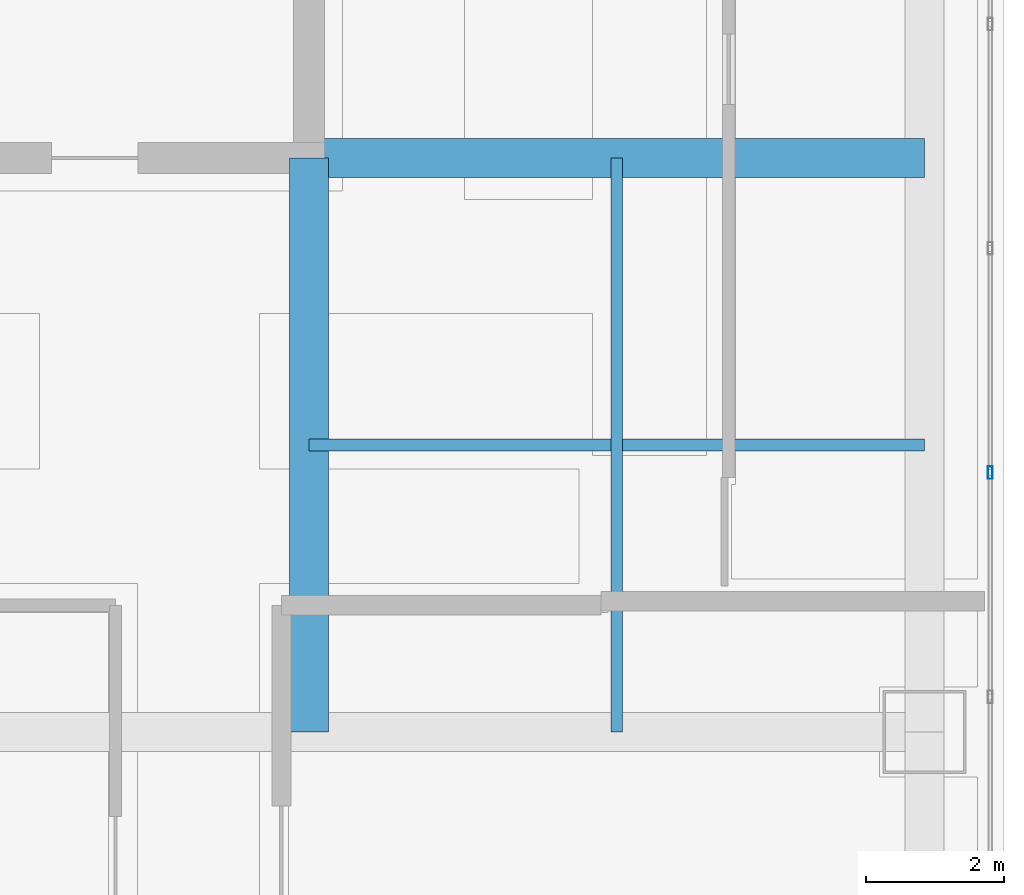
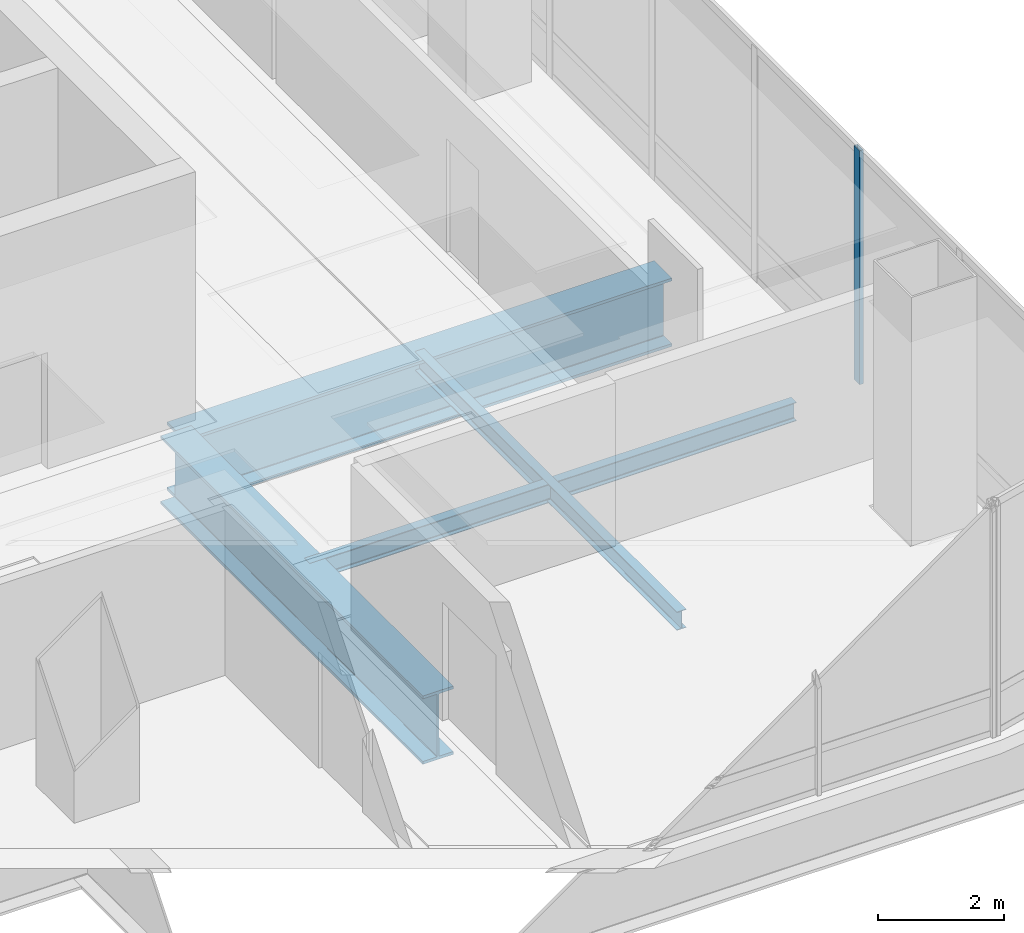
# One storey, part 19 of 45: 4 beams, 1 member, 1 element without a shape of its own.
"""IFC4 building model written with IfcOpenShell, lengths in metres."""

from ifc_helpers import new_model, si_unit, direction, frame, origin, origin_2d, place, context, subcontext, project, spatial, hollow_rectangle, i_section, extrude, material, material_profile, profile_set, type_object, element, aggregate, save


model = new_model("IFC4")

# Units and contexts
model_context = context("Model", 3, precision=1e-05, world=origin(), true_north=direction((0.0, 1.0)))
body_context = subcontext(model_context, "Body", "Model", "MODEL_VIEW")
ifc_project = project(units=[si_unit("LENGTHUNIT", "METRE"), si_unit("AREAUNIT", "SQUARE_METRE"), si_unit("VOLUMEUNIT", "CUBIC_METRE"), si_unit("PLANEANGLEUNIT", "RADIAN"), si_unit("MASSUNIT", "GRAM", prefix="KILO")], contexts=[model_context])

# Site, building, storey
site_placement = place(None, origin())
site = spatial("IfcSite", under=ifc_project, at=site_placement, CompositionType="ELEMENT")
building_placement = place(site_placement, origin())
building = spatial("IfcBuilding", under=site, at=building_placement, Name="Punatoya Terracotta Tower", CompositionType="ELEMENT")
storey_placement = place(building_placement, frame((0.0, 0.0, 339.0)))
storey = spatial("IfcBuildingStorey", under=building, at=storey_placement, Name="L80", CompositionType="ELEMENT", Elevation=339.0)

# Beams
ifc_material_1 = material(Name="Steel S355", Category="steel")
ifc_material_profile_1 = material_profile(ifc_material_1, i_section(OverallWidth=0.169921875, OverallDepth=0.360107421875, WebThickness=0.008056640625, FlangeThickness=0.0126953125, FilletRadius=0.01806640625, at=origin_2d()))
ifc_profile_set_1 = profile_set([ifc_material_profile_1], Name="Steel S355")
beam_type_1 = type_object("IfcBeamType", Name="BM-SEC-360", PredefinedType="JOIST", material=ifc_profile_set_1)
beam_1_placement = place(storey_placement, frame((10.199951171875, -13.35009765625, -0.43994140625), z_axis=(1.0, 0.0, 0.0), x_axis=(0.0, 1.0, 0.0)))
element("IfcBeam", 1, at=beam_1_placement, inside=storey, type_object=beam_type_1, Name="BM-L80-SJS-2", PredefinedType="JOIST", context=body_context, shape_type="SweptSolid", body=[
    extrude(i_section(OverallWidth=0.169921875, OverallDepth=0.360107421875, WebThickness=0.008056640625, FlangeThickness=0.0126953125, FilletRadius=0.01806640625, at=origin_2d()), origin(), (0.0, 0.0, 1.0), 8.900146484375),
])
beam_2_placement = place(storey_placement, frame((14.64990234375, -17.5, -0.43994140625), z_axis=(0.0, 1.0, 0.0), x_axis=(-1.0, 0.0, 0.0)))
element("IfcBeam", 2, at=beam_2_placement, inside=storey, type_object=beam_type_1, Name="BM-L80-SJE-1", PredefinedType="JOIST", context=body_context, shape_type="SweptSolid", body=[
    extrude(i_section(OverallWidth=0.169921875, OverallDepth=0.360107421875, WebThickness=0.008056640625, FlangeThickness=0.0126953125, FilletRadius=0.01806640625, at=origin_2d()), origin(), (0.0, 0.0, 1.0), 8.300048828125),
])
ifc_material_2 = material(Name="Steel S460", Category="steel")
ifc_material_profile_2 = material_profile(ifc_material_2, i_section(OverallWidth=0.56005859375, OverallDepth=1.320068359375, WebThickness=0.035888671875, FlangeThickness=0.054931640625, FilletRadius=0.01806640625, at=origin_2d()))
ifc_profile_set_2 = profile_set([ifc_material_profile_2], Name="Steel S460")
beam_type_2 = type_object("IfcBeamType", Name="BM-TG-BLK", PredefinedType="BEAM", material=ifc_profile_set_2)
beam_3_placement = place(storey_placement, frame((10.199951171875, -9.199951171875, -0.919921875), z_axis=(1.0, 0.0, 0.0), x_axis=(0.0, 1.0, 0.0)))
element("IfcBeam", 3, at=beam_3_placement, inside=storey, type_object=beam_type_2, Name="BM-L80-PR-ES", PredefinedType="BEAM", context=body_context, shape_type="SweptSolid", body=[
    extrude(i_section(OverallWidth=0.56005859375, OverallDepth=1.320068359375, WebThickness=0.035888671875, FlangeThickness=0.054931640625, FilletRadius=0.01806640625, at=origin_2d()), origin(), (0.0, 0.0, 1.0), 8.900146484375),
])
beam_4_placement = place(storey_placement, frame((10.199951171875, -17.5, -0.919921875), z_axis=(0.0, 1.0, 0.0), x_axis=(-1.0, 0.0, 0.0)))
element("IfcBeam", 4, at=beam_4_placement, inside=storey, type_object=beam_type_2, Name="BM-L80-PR-S4", PredefinedType="BEAM", context=body_context, shape_type="SweptSolid", body=[
    extrude(i_section(OverallWidth=0.56005859375, OverallDepth=1.320068359375, WebThickness=0.035888671875, FlangeThickness=0.054931640625, FilletRadius=0.01806640625, at=origin_2d()), origin(), (0.0, 0.0, 1.0), 8.300048828125),
])

# Curtain wall, member
ifc_material_3 = material(Name="Aluminium 6063-T6 + Double Low-E Glass", Category="aluminium")
curtain_wall_type = type_object("IfcCurtainWallType", Name="CW-OBS", PredefinedType="NOTDEFINED", material=ifc_material_3)
curtain_wall_placement = place(storey_placement, origin())
curtain_wall = element("IfcCurtainWall", 5, at=curtain_wall_placement, inside=storey, type_object=curtain_wall_type, Name="L80 Curtain Wall CW-L80-E05-1", PredefinedType="NOTDEFINED")
ifc_material_4 = material(Name="Aluminium 6063-T6", Category="aluminium")
ifc_material_profile_3 = material_profile(ifc_material_4, hollow_rectangle(XDim=0.070068359375, YDim=0.179931640625, WallThickness=0.00390625, at=origin_2d()))
ifc_profile_set_3 = profile_set([ifc_material_profile_3], Name="Aluminium 6063-T6")
member_type = type_object("IfcMemberType", Name="CW-MUL-M3", PredefinedType="MULLION", material=ifc_profile_set_3)
member_placement = place(storey_placement, frame((20.050048828125, -13.750732421875, 0.0), z_axis=(0.0, 0.0, 1.0), x_axis=(1.0, 0.0, 0.0)))
member = element("IfcMember", 6, at=member_placement, type_object=member_type, Name="CW-L80-E05-1 Mullion 02", PredefinedType="MULLION", context=body_context, shape_type="SweptSolid", body=[
    extrude(hollow_rectangle(XDim=0.070068359375, YDim=0.179931640625, WallThickness=0.00390625, at=origin_2d()), origin(), (0.0, 0.0, 1.0), 4.52001953125),
])
aggregate(curtain_wall, [member])

save(model, "model.ifc")
